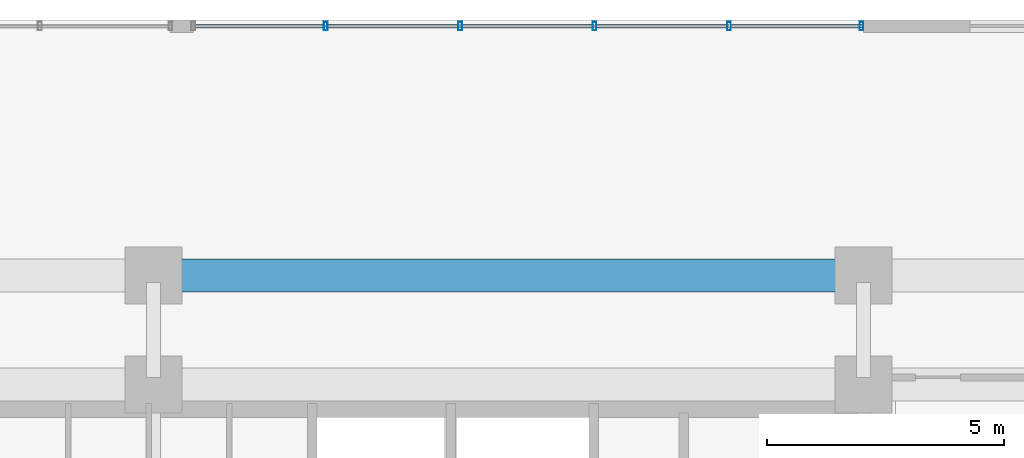
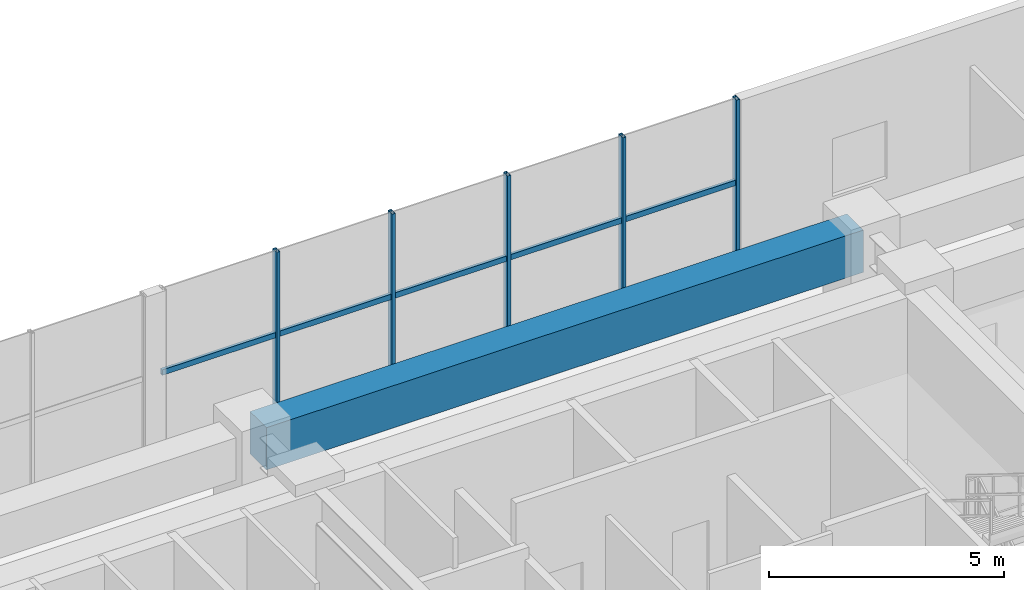
# One storey, part 11 of 24: 10 members, 1 beam, 1 element without a shape of its own.
"""IFC4 building model written with IfcOpenShell, lengths in metres."""

from ifc_helpers import new_model, si_unit, direction, frame, origin, origin_2d, place, context, subcontext, project, spatial, rectangle, hollow_rectangle, extrude, source, transform, mapped, material, material_profile, profile_set, type_object, element, aggregate, save


model = new_model("IFC4")

# Units and contexts
model_context = context("Model", 3, precision=1e-05, world=origin(), true_north=direction((0.0, 1.0)))
body_context = subcontext(model_context, "Body", "Model", "MODEL_VIEW")
ifc_project = project(units=[si_unit("LENGTHUNIT", "METRE"), si_unit("AREAUNIT", "SQUARE_METRE"), si_unit("VOLUMEUNIT", "CUBIC_METRE"), si_unit("PLANEANGLEUNIT", "RADIAN"), si_unit("MASSUNIT", "GRAM", prefix="KILO")], contexts=[model_context])

# Site, building, storey
site_placement = place(None, origin())
site = spatial("IfcSite", under=ifc_project, at=site_placement, CompositionType="ELEMENT")
building_placement = place(site_placement, origin())
building = spatial("IfcBuilding", under=site, at=building_placement, Name="Trelvane Seafront Commons", CompositionType="ELEMENT")
storey_placement = place(building_placement, frame((0.0, 0.0, 5.199951171875)))
storey = spatial("IfcBuildingStorey", under=building, at=storey_placement, Name="L01", CompositionType="ELEMENT", Elevation=5.199951171875)

# Beam
ifc_material_1 = material(Name="Concrete C50/60", Category="concrete")
ifc_material_profile_1 = material_profile(ifc_material_1, rectangle(XDim=0.699951171875, YDim=1.10009765625, at=origin_2d()), Name="RC-700x1100")
ifc_profile_set_1 = profile_set([ifc_material_profile_1], Name="Concrete C50/60")
beam_type = type_object("IfcBeamType", Name="STR-TBM-RC700x1100", PredefinedType="T_BEAM", material=ifc_profile_set_1)
shared_shape_1 = source(origin(), body_context, "Body", "SweptSolid", [
    extrude(rectangle(XDim=0.699951171875, YDim=1.10009765625, at=origin_2d()), origin(), (0.0, 0.0, 1.0), 14.699951171875),
])
beam_placement = place(storey_placement, frame((43.949951171875, 47.39990234375, 3.650146484375), z_axis=(1.0, 0.0, 0.0), x_axis=(0.0, 1.0, 0.0)))
element("IfcBeam", 1, at=beam_placement, inside=storey, type_object=beam_type, Name="L01 Primary Girder G-29", PredefinedType="T_BEAM", context=body_context, shape_type="MappedRepresentation", body=[
    mapped(shared_shape_1, transform((0.0, 0.0, 0.0), x_axis=(1.0, 0.0, 0.0), y_axis=(0.0, 1.0, 0.0), z_axis=(0.0, 0.0, 1.0), scale=1.0)),
])

# Curtain wall, members
ifc_material_2 = material(Name="Anodised pale-silver aluminium", Category="aluminium")
curtain_wall_type = type_object("IfcCurtainWallType", Name="ARCH-CW1-PODIUM", PredefinedType="NOTDEFINED", material=ifc_material_2)
curtain_wall_placement = place(storey_placement, origin())
curtain_wall = element("IfcCurtainWall", 2, at=curtain_wall_placement, inside=storey, type_object=curtain_wall_type, Name="CW-L01-0009", PredefinedType="NOTDEFINED")
ifc_material_profile_2 = material_profile(ifc_material_2, hollow_rectangle(XDim=0.080078125, YDim=0.179931640625, WallThickness=0.00439453125, at=origin_2d()), Name="MULL-80x180x4.5")
ifc_profile_set_2 = profile_set([ifc_material_profile_2], Name="Anodised pale-silver aluminium")
member_type_1 = type_object("IfcMemberType", Name="ARCH-CW-MULL-180", PredefinedType="MULLION", material=ifc_profile_set_2)
shared_shape_2 = source(origin(), body_context, "Body", "SweptSolid", [
    extrude(hollow_rectangle(XDim=0.080078125, YDim=0.179931640625, WallThickness=0.00439453125, at=origin_2d()), origin(), (0.0, 0.0, 1.0), 4.199951171875),
])
member_1_placement = place(storey_placement, frame((47.43994140625, 52.669921875, 0.0), z_axis=(0.0, 0.0, 1.0), x_axis=(1.0, 0.0, 0.0)))
member_1 = element("IfcMember", 3, at=member_1_placement, type_object=member_type_1, Name="CW-L01-0009-M01", PredefinedType="MULLION", context=body_context, shape_type="MappedRepresentation", body=[
    mapped(shared_shape_2, transform((0.0, 0.0, 0.0), x_axis=(1.0, 0.0, 0.0), y_axis=(0.0, 1.0, 0.0), z_axis=(0.0, 0.0, 1.0), scale=1.0)),
])
member_2_placement = place(storey_placement, frame((50.280029296875, 52.669921875, 0.0), z_axis=(0.0, 0.0, 1.0), x_axis=(1.0, 0.0, 0.0)))
member_2 = element("IfcMember", 4, at=member_2_placement, type_object=member_type_1, Name="CW-L01-0009-M02", PredefinedType="MULLION", context=body_context, shape_type="MappedRepresentation", body=[
    mapped(shared_shape_2, transform((0.0, 0.0, 0.0), x_axis=(1.0, 0.0, 0.0), y_axis=(0.0, 1.0, 0.0), z_axis=(0.0, 0.0, 1.0), scale=1.0)),
])
member_3_placement = place(storey_placement, frame((53.1201171875, 52.669921875, 0.0), z_axis=(0.0, 0.0, 1.0), x_axis=(1.0, 0.0, 0.0)))
member_3 = element("IfcMember", 5, at=member_3_placement, type_object=member_type_1, Name="CW-L01-0009-M03", PredefinedType="MULLION", context=body_context, shape_type="MappedRepresentation", body=[
    mapped(shared_shape_2, transform((0.0, 0.0, 0.0), x_axis=(1.0, 0.0, 0.0), y_axis=(0.0, 1.0, 0.0), z_axis=(0.0, 0.0, 1.0), scale=1.0)),
])
member_4_placement = place(storey_placement, frame((55.9599609375, 52.669921875, 0.0), z_axis=(0.0, 0.0, 1.0), x_axis=(1.0, 0.0, 0.0)))
member_4 = element("IfcMember", 6, at=member_4_placement, type_object=member_type_1, Name="CW-L01-0009-M04", PredefinedType="MULLION", context=body_context, shape_type="MappedRepresentation", body=[
    mapped(shared_shape_2, transform((0.0, 0.0, 0.0), x_axis=(1.0, 0.0, 0.0), y_axis=(0.0, 1.0, 0.0), z_axis=(0.0, 0.0, 1.0), scale=1.0)),
])
member_5_placement = place(storey_placement, frame((58.760009765625, 52.669921875, 0.0), z_axis=(0.0, 0.0, 1.0), x_axis=(1.0, 0.0, 0.0)))
member_5 = element("IfcMember", 7, at=member_5_placement, type_object=member_type_1, Name="CW-L01-0009-M05", PredefinedType="MULLION", context=body_context, shape_type="MappedRepresentation", body=[
    mapped(shared_shape_2, transform((0.0, 0.0, 0.0), x_axis=(1.0, 0.0, 0.0), y_axis=(0.0, 1.0, 0.0), z_axis=(0.0, 0.0, 1.0), scale=1.0)),
])
ifc_material_profile_3 = material_profile(ifc_material_2, hollow_rectangle(XDim=0.074951171875, YDim=0.139892578125, WallThickness=0.00390625, at=origin_2d()), Name="TRAN-75x140x4")
ifc_profile_set_3 = profile_set([ifc_material_profile_3], Name="Anodised pale-silver aluminium")
member_type_2 = type_object("IfcMemberType", Name="ARCH-CW-TRAN-140", PredefinedType="USERDEFINED", material=ifc_profile_set_3)
shared_shape_3 = source(origin(), body_context, "Body", "SweptSolid", [
    extrude(hollow_rectangle(XDim=0.074951171875, YDim=0.139892578125, WallThickness=0.00390625, at=origin_2d()), origin(), (0.0, 0.0, 1.0), 2.81591796875),
])
member_6_placement = place(storey_placement, frame((44.612060546875, 52.669921875, 2.01611328125), z_axis=(1.0, 0.0, 0.0), x_axis=(0.0, 1.0, 0.0)))
member_6 = element("IfcMember", 8, at=member_6_placement, type_object=member_type_2, Name="CW-L01-0009-T00", ObjectType="TRANSOM", PredefinedType="USERDEFINED", context=body_context, shape_type="MappedRepresentation", body=[
    mapped(shared_shape_3, transform((0.0, 0.0, 0.0), x_axis=(1.0, 0.0, 0.0), y_axis=(0.0, 1.0, 0.0), z_axis=(0.0, 0.0, 1.0), scale=1.0)),
])
member_7_placement = place(storey_placement, frame((50.2919921875, 52.669921875, 2.01611328125), z_axis=(1.0, 0.0, 0.0), x_axis=(0.0, 1.0, 0.0)))
member_7 = element("IfcMember", 9, at=member_7_placement, type_object=member_type_2, Name="CW-L01-0009-T02", ObjectType="TRANSOM", PredefinedType="USERDEFINED", context=body_context, shape_type="MappedRepresentation", body=[
    mapped(shared_shape_3, transform((0.0, 0.0, 0.0), x_axis=(1.0, 0.0, 0.0), y_axis=(0.0, 1.0, 0.0), z_axis=(0.0, 0.0, 1.0), scale=1.0)),
])
member_8_placement = place(storey_placement, frame((53.132080078125, 52.669921875, 2.01611328125), z_axis=(1.0, 0.0, 0.0), x_axis=(0.0, 1.0, 0.0)))
member_8 = element("IfcMember", 10, at=member_8_placement, type_object=member_type_2, Name="CW-L01-0009-T03", ObjectType="TRANSOM", PredefinedType="USERDEFINED", context=body_context, shape_type="MappedRepresentation", body=[
    mapped(shared_shape_3, transform((0.0, 0.0, 0.0), x_axis=(1.0, 0.0, 0.0), y_axis=(0.0, 1.0, 0.0), z_axis=(0.0, 0.0, 1.0), scale=1.0)),
])
shared_shape_4 = source(origin(), body_context, "Body", "SweptSolid", [
    extrude(hollow_rectangle(XDim=0.074951171875, YDim=0.139892578125, WallThickness=0.00390625, at=origin_2d()), origin(), (0.0, 0.0, 1.0), 2.816162109375),
])
member_9_placement = place(storey_placement, frame((47.451904296875, 52.669921875, 2.01611328125), z_axis=(1.0, 0.0, 0.0), x_axis=(0.0, 1.0, 0.0)))
member_9 = element("IfcMember", 11, at=member_9_placement, type_object=member_type_2, Name="CW-L01-0009-T01", ObjectType="TRANSOM", PredefinedType="USERDEFINED", context=body_context, shape_type="MappedRepresentation", body=[
    mapped(shared_shape_4, transform((0.0, 0.0, 0.0), x_axis=(1.0, 0.0, 0.0), y_axis=(0.0, 1.0, 0.0), z_axis=(0.0, 0.0, 1.0), scale=1.0)),
])
member_10_placement = place(storey_placement, frame((55.971923828125, 52.669921875, 2.01611328125), z_axis=(1.0, 0.0, 0.0), x_axis=(0.0, 1.0, 0.0)))
member_10 = element("IfcMember", 12, at=member_10_placement, type_object=member_type_2, Name="CW-L01-0009-T04", ObjectType="TRANSOM", PredefinedType="USERDEFINED", context=body_context, shape_type="MappedRepresentation", body=[
    mapped(shared_shape_4, transform((0.0, 0.0, 0.0), x_axis=(1.0, 0.0, 0.0), y_axis=(0.0, 1.0, 0.0), z_axis=(0.0, 0.0, 1.0), scale=1.0)),
])
aggregate(curtain_wall, [member_1, member_2, member_3, member_4, member_5, member_6, member_9, member_7, member_8, member_10])

save(model, "model.ifc")
